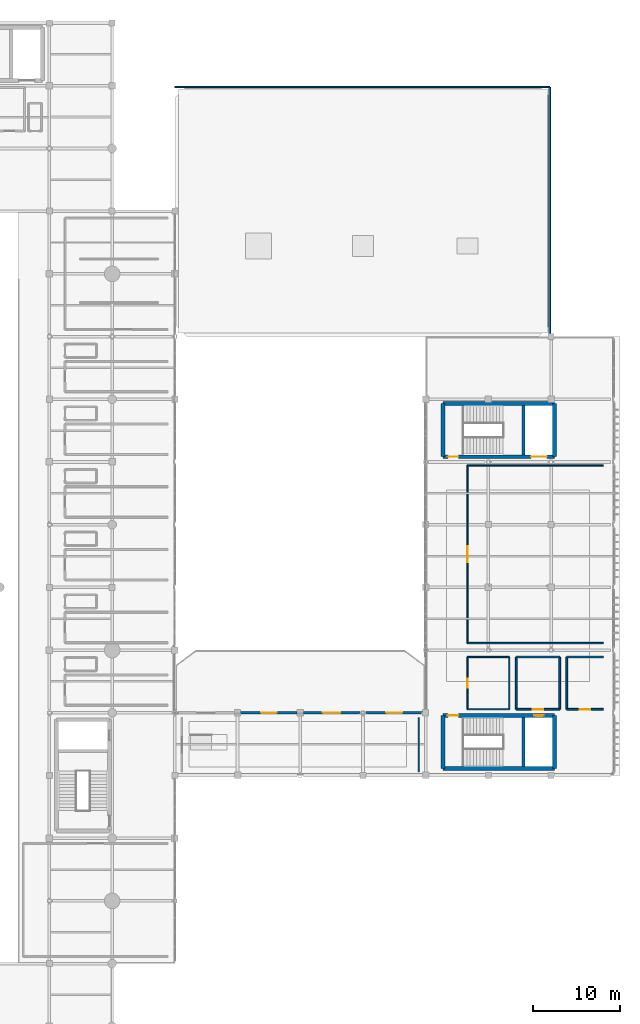
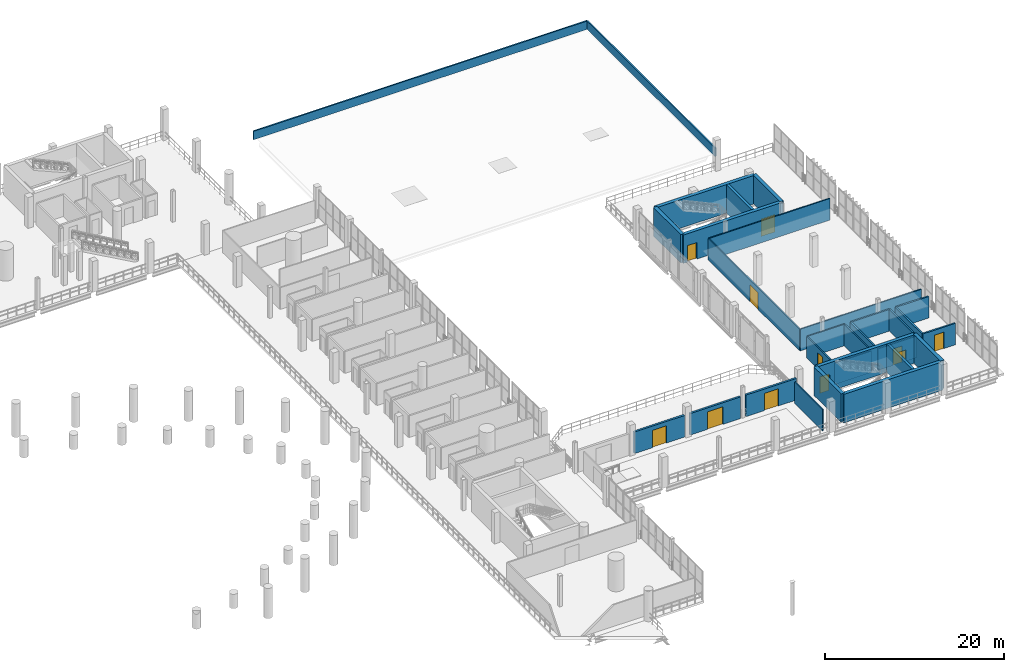
# One storey, part 111 of 130: 30 walls, 11 doors, 11 openings.
"""IFC4 building model written with IfcOpenShell, lengths in metres."""

from ifc_helpers import new_model, si_unit, direction, frame, frame_2d, origin, place, context, subcontext, project, spatial, rectangle, extrude, material, layer, layer_set, type_object, element, fill, save


model = new_model("IFC4")

# Units and contexts
model_context = context("Model", 3, precision=1e-05, world=origin(), true_north=direction((0.0, 1.0)))
body_context = subcontext(model_context, "Body", "Model", "MODEL_VIEW")
ifc_project = project(units=[si_unit("LENGTHUNIT", "METRE"), si_unit("AREAUNIT", "SQUARE_METRE"), si_unit("VOLUMEUNIT", "CUBIC_METRE"), si_unit("PLANEANGLEUNIT", "RADIAN"), si_unit("MASSUNIT", "GRAM", prefix="KILO")], contexts=[model_context])

# Site, building, storey
site_placement = place(None, origin())
site = spatial("IfcSite", under=ifc_project, at=site_placement, CompositionType="ELEMENT")
building_placement = place(site_placement, origin())
building = spatial("IfcBuilding", under=site, at=building_placement, Name="Qandorah Velis Arena", CompositionType="ELEMENT")
storey_placement = place(building_placement, frame((0.0, 0.0, 9.60009765625)))
storey = spatial("IfcBuildingStorey", under=building, at=storey_placement, Name="L02", CompositionType="ELEMENT", Elevation=9.60009765625)

# Wall, opening, door
ifc_material_1 = material(Name="Precast concrete C40/50", Category="concrete")
ifc_layer_1 = layer(ifc_material_1, 0.260009765625)
ifc_layer_set_1 = layer_set([ifc_layer_1], Name="Precast concrete C40/50")
wall_type_1 = type_object("IfcWallType", Name="ARC-WAL-EXT260", PredefinedType="SOLIDWALL", material=ifc_layer_set_1)
wall_1_placement = place(storey_placement, frame((129.949951171875, 50.39990234375, 0.0), z_axis=(0.0, 0.0, 1.0), x_axis=(1.0, 0.0, 0.0)))
wall_1 = element("IfcWall", 1, at=wall_1_placement, inside=storey, type_object=wall_type_1, Name="Oasis Terrace dining facade wall 2", PredefinedType="SOLIDWALL", context=body_context, shape_type="SweptSolid", body=[
    extrude(rectangle(XDim=6.5, YDim=0.260009765625, at=frame_2d((3.25, 0.0))), origin(), (0.0, 0.0, 1.0), 2.93994140625),
])
opening_1_placement = place(wall_1_placement, frame((2.35009765625, 0.0, 0.0)))
opening_1 = element("IfcOpeningElement", 2, at=opening_1_placement, cuts=wall_1, Name="Opening OTD2", PredefinedType="OPENING", context=body_context, shape_type="SweptSolid", body=[
    extrude(rectangle(XDim=1.800048828125, YDim=2.35009765625, at=frame_2d((0.89990234375, 1.175048828125))), frame((0.0, 0.14013671875, 0.0), z_axis=(0.0, -1.0, 0.0), x_axis=(1.0, 0.0, 0.0)), (0.0, 0.0, 1.0), 0.280029296875),
])
ifc_material_2 = material(Name="Solar-control low-E double glazed aluminium door", Category="aluminium")
door_type_1 = type_object("IfcDoorType", Name="ARC-DR-TER1800", OperationType="NOTDEFINED", PredefinedType="DOOR", material=ifc_material_2)
door_1_placement = place(opening_1_placement, origin())
door_1 = element("IfcDoor", 3, at=door_1_placement, inside=storey, type_object=door_type_1, Name="Oasis Terrace glazed door OTD2", OperationType="SINGLE_SWING_RIGHT", OverallHeight=2.35009765625, OverallWidth=1.800048828125, PredefinedType="DOOR", context=body_context, shape_type="SweptSolid", body=[
    extrude(rectangle(XDim=1.800048828125, YDim=2.35009765625, at=frame_2d((0.89990234375, 1.175048828125))), frame((0.0, 0.02490234375, 0.0), z_axis=(0.0, -1.0, 0.0), x_axis=(1.0, 0.0, 0.0)), (0.0, 0.0, 1.0), 0.050048828125),
])
fill(opening_1, door_1)

wall_2_placement = place(storey_placement, frame((137.14990234375, 50.39990234375, 0.0), z_axis=(0.0, 0.0, 1.0), x_axis=(1.0, 0.0, 0.0)))
wall_2 = element("IfcWall", 4, at=wall_2_placement, inside=storey, type_object=wall_type_1, Name="Oasis Terrace dining facade wall 3", PredefinedType="SOLIDWALL", context=body_context, shape_type="SweptSolid", body=[
    extrude(rectangle(XDim=6.5, YDim=0.260009765625, at=frame_2d((3.25, 0.0))), origin(), (0.0, 0.0, 1.0), 2.93994140625),
])
opening_2_placement = place(wall_2_placement, frame((2.25, 0.0, 0.0)))
opening_2 = element("IfcOpeningElement", 5, at=opening_2_placement, cuts=wall_2, Name="Opening OTD3", PredefinedType="OPENING", context=body_context, shape_type="SweptSolid", body=[
    extrude(rectangle(XDim=2.0, YDim=2.39990234375, at=frame_2d((1.0, 1.199951171875))), frame((0.0, 0.14013671875, 0.0), z_axis=(0.0, -1.0, 0.0), x_axis=(1.0, 0.0, 0.0)), (0.0, 0.0, 1.0), 0.280029296875),
])
door_type_2 = type_object("IfcDoorType", Name="ARC-DR-TER2000", OperationType="NOTDEFINED", PredefinedType="DOOR", material=ifc_material_2)
door_2_placement = place(opening_2_placement, origin())
door_2 = element("IfcDoor", 6, at=door_2_placement, inside=storey, type_object=door_type_2, Name="Oasis Terrace glazed door OTD3", OperationType="SINGLE_SWING_LEFT", OverallHeight=2.39990234375, OverallWidth=2.0, PredefinedType="DOOR", context=body_context, shape_type="SweptSolid", body=[
    extrude(rectangle(XDim=2.0, YDim=2.39990234375, at=frame_2d((1.0, 1.199951171875))), frame((0.0, 0.02490234375, 0.0), z_axis=(0.0, -1.0, 0.0), x_axis=(1.0, 0.0, 0.0)), (0.0, 0.0, 1.0), 0.050048828125),
])
fill(opening_2, door_2)

wall_3_placement = place(storey_placement, frame((144.35009765625, 50.39990234375, 0.0), z_axis=(0.0, 0.0, 1.0), x_axis=(1.0, 0.0, 0.0)))
wall_3 = element("IfcWall", 7, at=wall_3_placement, inside=storey, type_object=wall_type_1, Name="Oasis Terrace dining facade wall 4", PredefinedType="SOLIDWALL", context=body_context, shape_type="SweptSolid", body=[
    extrude(rectangle(XDim=6.5, YDim=0.260009765625, at=frame_2d((3.25, 0.0))), origin(), (0.0, 0.0, 1.0), 2.93994140625),
])
opening_3_placement = place(wall_3_placement, frame((2.35009765625, 0.0, 0.0)))
opening_3 = element("IfcOpeningElement", 8, at=opening_3_placement, cuts=wall_3, Name="Opening OTD4", PredefinedType="OPENING", context=body_context, shape_type="SweptSolid", body=[
    extrude(rectangle(XDim=1.800048828125, YDim=2.35009765625, at=frame_2d((0.89990234375, 1.175048828125))), frame((0.0, 0.14013671875, 0.0), z_axis=(0.0, -1.0, 0.0), x_axis=(1.0, 0.0, 0.0)), (0.0, 0.0, 1.0), 0.280029296875),
])
door_3_placement = place(opening_3_placement, origin())
door_3 = element("IfcDoor", 9, at=door_3_placement, inside=storey, type_object=door_type_1, Name="Oasis Terrace glazed door OTD4", OperationType="SINGLE_SWING_RIGHT", OverallHeight=2.35009765625, OverallWidth=1.800048828125, PredefinedType="DOOR", context=body_context, shape_type="SweptSolid", body=[
    extrude(rectangle(XDim=1.800048828125, YDim=2.35009765625, at=frame_2d((0.89990234375, 1.175048828125))), frame((0.0, 0.02490234375, 0.0), z_axis=(0.0, -1.0, 0.0), x_axis=(1.0, 0.0, 0.0)), (0.0, 0.0, 1.0), 0.050048828125),
])
fill(opening_3, door_3)

ifc_material_3 = material(Name="Concrete C35/45", Category="concrete")
ifc_layer_2 = layer(ifc_material_3, 0.199951171875)
ifc_layer_set_2 = layer_set([ifc_layer_2], Name="Concrete C35/45")
wall_type_2 = type_object("IfcWallType", Name="ARC-WAL-FD60-200", PredefinedType="PARTITIONING", material=ifc_layer_set_2)
wall_4_placement = place(storey_placement, frame((161.60009765625, 50.800048828125, 0.0), z_axis=(0.0, 0.0, 1.0), x_axis=(1.0, 0.0, 0.0)))
wall_4 = element("IfcWall", 10, at=wall_4_placement, inside=storey, type_object=wall_type_2, Name="Interior partition L02-PANTRY-E (S)", PredefinedType="PARTITIONING", context=body_context, shape_type="SweptSolid", body=[
    extrude(rectangle(XDim=5.0, YDim=0.199951171875, at=frame_2d((2.5, 0.0))), origin(), (0.0, 0.0, 1.0), 2.93994140625),
])
opening_4_placement = place(wall_4_placement, frame((1.89990234375, 0.0, 0.0)))
opening_4 = element("IfcOpeningElement", 11, at=opening_4_placement, cuts=wall_4, Name="Opening FD2", PredefinedType="OPENING", context=body_context, shape_type="SweptSolid", body=[
    extrude(rectangle(XDim=1.199951171875, YDim=2.25, at=frame_2d((0.60009765625, 1.125))), frame((0.0, 0.10986328125, 0.0), z_axis=(0.0, -1.0, 0.0), x_axis=(1.0, 0.0, 0.0)), (0.0, 0.0, 1.0), 0.219970703125),
])
ifc_material_4 = material(Name="Insulated fire-rated single steel door", Category="steel")
door_type_3 = type_object("IfcDoorType", Name="ARC-DR-FD1200", OperationType="NOTDEFINED", PredefinedType="DOOR", material=ifc_material_4)
door_4_placement = place(opening_4_placement, frame((1.199951171875, 0.0, 0.0), z_axis=(0.0, 0.0, 1.0), x_axis=(-1.0, 0.0, 0.0)))
door_4 = element("IfcDoor", 12, at=door_4_placement, inside=storey, type_object=door_type_3, Name="Door L02-PANTRY-E", OperationType="SINGLE_SWING_RIGHT", OverallHeight=2.25, OverallWidth=1.199951171875, PredefinedType="DOOR", context=body_context, shape_type="SweptSolid", body=[
    extrude(rectangle(XDim=1.199951171875, YDim=2.25, at=frame_2d((0.60009765625, 1.125))), frame((0.0, 0.02490234375, 0.0), z_axis=(0.0, -1.0, 0.0), x_axis=(1.0, 0.0, 0.0)), (0.0, 0.0, 1.0), 0.050048828125),
])
fill(opening_4, door_4)

# Walls
wall_5_placement = place(storey_placement, frame((166.60009765625, 50.800048828125, 0.0), z_axis=(0.0, 0.0, 1.0), x_axis=(0.0, 1.0, 0.0)))
element("IfcWall", 13, at=wall_5_placement, inside=storey, type_object=wall_type_2, Name="Interior partition L02-PANTRY-E (E)", PredefinedType="PARTITIONING", context=body_context, shape_type="SweptSolid", body=[
    extrude(rectangle(XDim=6.0, YDim=0.199951171875, at=frame_2d((3.0, 0.0))), origin(), (0.0, 0.0, 1.0), 2.93994140625),
])
wall_6_placement = place(storey_placement, frame((166.60009765625, 56.800048828125, 0.0), z_axis=(0.0, 0.0, 1.0), x_axis=(-1.0, 0.0, 0.0)))
element("IfcWall", 14, at=wall_6_placement, inside=storey, type_object=wall_type_2, Name="Interior partition L02-PANTRY-E (N)", PredefinedType="PARTITIONING", context=body_context, shape_type="SweptSolid", body=[
    extrude(rectangle(XDim=5.0, YDim=0.199951171875, at=frame_2d((2.5, 0.0))), origin(), (0.0, 0.0, 1.0), 2.93994140625),
])
wall_7_placement = place(storey_placement, frame((161.60009765625, 56.800048828125, 0.0), z_axis=(0.0, 0.0, 1.0), x_axis=(0.0, -1.0, 0.0)))
element("IfcWall", 15, at=wall_7_placement, inside=storey, type_object=wall_type_2, Name="Interior partition L02-PANTRY-E (W)", PredefinedType="PARTITIONING", context=body_context, shape_type="SweptSolid", body=[
    extrude(rectangle(XDim=6.0, YDim=0.199951171875, at=frame_2d((3.0, 0.0))), origin(), (0.0, 0.0, 1.0), 2.93994140625),
])

# Wall, opening, door
wall_8_placement = place(storey_placement, frame((167.39990234375, 50.800048828125, 0.0), z_axis=(0.0, 0.0, 1.0), x_axis=(1.0, 0.0, 0.0)))
wall_8 = element("IfcWall", 16, at=wall_8_placement, inside=storey, type_object=wall_type_2, Name="Interior partition L02-LINEN-STR (S)", PredefinedType="PARTITIONING", context=body_context, shape_type="SweptSolid", body=[
    extrude(rectangle(XDim=4.2001953125, YDim=0.199951171875, at=frame_2d((2.10009765625, 0.0))), origin(), (0.0, 0.0, 1.0), 2.93994140625),
])
opening_5_placement = place(wall_8_placement, frame((1.5, 0.0, 0.0)))
opening_5 = element("IfcOpeningElement", 17, at=opening_5_placement, cuts=wall_8, Name="Opening FD2", PredefinedType="OPENING", context=body_context, shape_type="SweptSolid", body=[
    extrude(rectangle(XDim=1.199951171875, YDim=2.25, at=frame_2d((0.60009765625, 1.125))), frame((0.0, 0.10986328125, 0.0), z_axis=(0.0, -1.0, 0.0), x_axis=(1.0, 0.0, 0.0)), (0.0, 0.0, 1.0), 0.219970703125),
])
door_5_placement = place(opening_5_placement, origin())
door_5 = element("IfcDoor", 18, at=door_5_placement, inside=storey, type_object=door_type_3, Name="Door L02-LINEN-STR", OperationType="SINGLE_SWING_LEFT", OverallHeight=2.25, OverallWidth=1.199951171875, PredefinedType="DOOR", context=body_context, shape_type="SweptSolid", body=[
    extrude(rectangle(XDim=1.199951171875, YDim=2.25, at=frame_2d((0.60009765625, 1.125))), frame((0.0, 0.02490234375, 0.0), z_axis=(0.0, -1.0, 0.0), x_axis=(1.0, 0.0, 0.0)), (0.0, 0.0, 1.0), 0.050048828125),
])
fill(opening_5, door_5)

# Walls
wall_9_placement = place(storey_placement, frame((171.60009765625, 56.800048828125, 0.0), z_axis=(0.0, 0.0, 1.0), x_axis=(-1.0, 0.0, 0.0)))
element("IfcWall", 19, at=wall_9_placement, inside=storey, type_object=wall_type_2, Name="Interior partition L02-LINEN-STR (N)", PredefinedType="PARTITIONING", context=body_context, shape_type="SweptSolid", body=[
    extrude(rectangle(XDim=4.2001953125, YDim=0.199951171875, at=frame_2d((2.10009765625, 0.0))), origin(), (0.0, 0.0, 1.0), 2.93994140625),
])
wall_10_placement = place(storey_placement, frame((167.39990234375, 56.800048828125, 0.0), z_axis=(0.0, 0.0, 1.0), x_axis=(0.0, -1.0, 0.0)))
element("IfcWall", 20, at=wall_10_placement, inside=storey, type_object=wall_type_2, Name="Interior partition L02-LINEN-STR (W)", PredefinedType="PARTITIONING", context=body_context, shape_type="SweptSolid", body=[
    extrude(rectangle(XDim=6.0, YDim=0.199951171875, at=frame_2d((3.0, 0.0))), origin(), (0.0, 0.0, 1.0), 2.93994140625),
])
ifc_layer_3 = layer(ifc_material_1, 0.179931640625)
ifc_layer_set_3 = layer_set([ifc_layer_3], Name="Precast concrete C40/50")
wall_type_3 = type_object("IfcWallType", Name="ARC-WAL-PAR180", PredefinedType="PARAPET", material=ifc_layer_set_3)
wall_11_placement = place(storey_placement, frame((122.39990234375, 122.25, 1.7998046875), z_axis=(0.0, 0.0, 1.0), x_axis=(1.0, 0.0, 0.0)))
element("IfcWall", 21, at=wall_11_placement, inside=storey, type_object=wall_type_3, Name="Roof perimeter parapet wall PW-14", PredefinedType="PARAPET", context=body_context, shape_type="SweptSolid", body=[
    extrude(rectangle(XDim=43.050048828125, YDim=0.179931640625, at=frame_2d((21.52490234375, 0.0))), origin(), (0.0, 0.0, 1.0), 1.150146484375),
])
wall_12_placement = place(storey_placement, frame((165.449951171875, 93.60009765625, 1.7998046875), z_axis=(0.0, 0.0, 1.0), x_axis=(0.0, 1.0, 0.0)))
element("IfcWall", 22, at=wall_12_placement, inside=storey, type_object=wall_type_3, Name="Roof perimeter parapet wall PW-15", PredefinedType="PARAPET", context=body_context, shape_type="SweptSolid", body=[
    extrude(rectangle(XDim=28.64990234375, YDim=0.179931640625, at=frame_2d((14.324951171875, 0.0))), origin(), (0.0, 0.0, 1.0), 1.150146484375),
])
ifc_layer_4 = layer(ifc_material_3, 0.14990234375)
ifc_layer_set_4 = layer_set([ifc_layer_4], Name="Concrete C35/45")
wall_type_4 = type_object("IfcWallType", Name="ARC-WAL-PART150", PredefinedType="PARTITIONING", material=ifc_layer_set_4)
wall_13_placement = place(storey_placement, frame((150.39990234375, 43.60009765625, 0.0), z_axis=(0.0, 0.0, 1.0), x_axis=(0.0, 1.0, 0.0)))
element("IfcWall", 23, at=wall_13_placement, inside=storey, type_object=wall_type_4, Name="Interior partition L02-SUITE-DINING (E)", PredefinedType="PARTITIONING", context=body_context, shape_type="SweptSolid", body=[
    extrude(rectangle(XDim=6.199951171875, YDim=0.14990234375, at=frame_2d((3.10009765625, 0.0))), origin(), (0.0, 0.0, 1.0), 2.93994140625),
])
for number, where, z_axis, x_axis, name in (
    (24, (156.0, 58.39990234375, 0.0), (0.0, 0.0, 1.0), (1.0, 0.0, 0.0), "Interior partition L02-OASIS-REST (S)"),
    (25, (171.60009765625, 78.800048828125, 0.0), (0.0, 0.0, 1.0), (-1.0, 0.0, 0.0), "Interior partition L02-OASIS-REST (N)"),
):
    element("IfcWall", number, at=place(storey_placement, frame(where, z_axis=z_axis, x_axis=x_axis)), inside=storey, type_object=wall_type_4, Name=name, PredefinedType="PARTITIONING", context=body_context, shape_type="SweptSolid", body=[
        extrude(rectangle(XDim=15.60009765625, YDim=0.14990234375, at=frame_2d((7.800048828125, 0.0))), origin(), (0.0, 0.0, 1.0), 2.93994140625),
    ])

# Wall, opening, door
wall_14_placement = place(storey_placement, frame((156.0, 78.800048828125, 0.0), z_axis=(0.0, 0.0, 1.0), x_axis=(0.0, -1.0, 0.0)))
wall_14 = element("IfcWall", 26, at=wall_14_placement, inside=storey, type_object=wall_type_4, Name="Interior partition L02-OASIS-REST (W)", PredefinedType="PARTITIONING", context=body_context, shape_type="SweptSolid", body=[
    extrude(rectangle(XDim=20.400146484375, YDim=0.14990234375, at=frame_2d((10.2001953125, 0.0))), origin(), (0.0, 0.0, 1.0), 2.93994140625),
])
opening_6_placement = place(wall_14_placement, frame((9.300048828125, 0.0, 0.0)))
opening_6 = element("IfcOpeningElement", 27, at=opening_6_placement, cuts=wall_14, Name="Opening D3", PredefinedType="OPENING", context=body_context, shape_type="SweptSolid", body=[
    extrude(rectangle(XDim=1.800048828125, YDim=2.300048828125, at=frame_2d((0.89990234375, 1.14990234375))), frame((0.0, 0.0849609375, 0.0), z_axis=(0.0, -1.0, 0.0), x_axis=(1.0, 0.0, 0.0)), (0.0, 0.0, 1.0), 0.169921875),
])
ifc_material_5 = material(Name="Double-leaf acoustic timber door", Category="wood")
door_type_4 = type_object("IfcDoorType", Name="ARC-DR-DBL1800", OperationType="NOTDEFINED", PredefinedType="DOOR", material=ifc_material_5)
door_6_placement = place(opening_6_placement, frame((1.800048828125, 0.0, 0.0), z_axis=(0.0, 0.0, 1.0), x_axis=(-1.0, 0.0, 0.0)))
door_6 = element("IfcDoor", 28, at=door_6_placement, inside=storey, type_object=door_type_4, Name="Door L02-OASIS-REST", OperationType="DOUBLE_DOOR_SINGLE_SWING", OverallHeight=2.300048828125, OverallWidth=1.800048828125, PredefinedType="DOOR", context=body_context, shape_type="SweptSolid", body=[
    extrude(rectangle(XDim=1.800048828125, YDim=2.300048828125, at=frame_2d((0.89990234375, 1.14990234375))), frame((0.0, 0.02490234375, 0.0), z_axis=(0.0, -1.0, 0.0), x_axis=(1.0, 0.0, 0.0)), (0.0, 0.0, 1.0), 0.050048828125),
])
fill(opening_6, door_6)

# Walls
wall_15_placement = place(storey_placement, frame((156.0, 50.800048828125, 0.0), z_axis=(0.0, 0.0, 1.0), x_axis=(1.0, 0.0, 0.0)))
element("IfcWall", 29, at=wall_15_placement, inside=storey, type_object=wall_type_4, Name="Interior partition L02-L02-AWC1 (S)", PredefinedType="PARTITIONING", context=body_context, shape_type="SweptSolid", body=[
    extrude(rectangle(XDim=4.800048828125, YDim=0.14990234375, at=frame_2d((2.39990234375, 0.0))), origin(), (0.0, 0.0, 1.0), 2.93994140625),
])
wall_16_placement = place(storey_placement, frame((160.800048828125, 50.800048828125, 0.0), z_axis=(0.0, 0.0, 1.0), x_axis=(0.0, 1.0, 0.0)))
element("IfcWall", 30, at=wall_16_placement, inside=storey, type_object=wall_type_4, Name="Interior partition L02-L02-AWC1 (E)", PredefinedType="PARTITIONING", context=body_context, shape_type="SweptSolid", body=[
    extrude(rectangle(XDim=6.0, YDim=0.14990234375, at=frame_2d((3.0, 0.0))), origin(), (0.0, 0.0, 1.0), 2.93994140625),
])
wall_17_placement = place(storey_placement, frame((160.800048828125, 56.800048828125, 0.0), z_axis=(0.0, 0.0, 1.0), x_axis=(-1.0, 0.0, 0.0)))
element("IfcWall", 31, at=wall_17_placement, inside=storey, type_object=wall_type_4, Name="Interior partition L02-L02-AWC1 (N)", PredefinedType="PARTITIONING", context=body_context, shape_type="SweptSolid", body=[
    extrude(rectangle(XDim=4.800048828125, YDim=0.14990234375, at=frame_2d((2.39990234375, 0.0))), origin(), (0.0, 0.0, 1.0), 2.93994140625),
])

# Wall, opening, door
wall_18_placement = place(storey_placement, frame((156.0, 56.800048828125, 0.0), z_axis=(0.0, 0.0, 1.0), x_axis=(0.0, -1.0, 0.0)))
wall_18 = element("IfcWall", 32, at=wall_18_placement, inside=storey, type_object=wall_type_4, Name="Interior partition L02-L02-AWC1 (W)", PredefinedType="PARTITIONING", context=body_context, shape_type="SweptSolid", body=[
    extrude(rectangle(XDim=6.0, YDim=0.14990234375, at=frame_2d((3.0, 0.0))), origin(), (0.0, 0.0, 1.0), 2.93994140625),
])
opening_7_placement = place(wall_18_placement, frame((2.47509765625, 0.0, 0.0)))
opening_7 = element("IfcOpeningElement", 33, at=opening_7_placement, cuts=wall_18, Name="Opening D6", PredefinedType="OPENING", context=body_context, shape_type="SweptSolid", body=[
    extrude(rectangle(XDim=1.050048828125, YDim=2.199951171875, at=frame_2d((0.52490234375, 1.10009765625))), frame((0.0, 0.0849609375, 0.0), z_axis=(0.0, -1.0, 0.0), x_axis=(1.0, 0.0, 0.0)), (0.0, 0.0, 1.0), 0.169921875),
])
ifc_material_6 = material(Name="Accessible wide-leaf lever-handle door")
door_type_5 = type_object("IfcDoorType", Name="ARC-DR-ACC1050", OperationType="NOTDEFINED", PredefinedType="DOOR", material=ifc_material_6)
door_7_placement = place(opening_7_placement, origin())
door_7 = element("IfcDoor", 34, at=door_7_placement, inside=storey, type_object=door_type_5, Name="Door L02-L02-AWC1", OperationType="SINGLE_SWING_LEFT", OverallHeight=2.199951171875, OverallWidth=1.050048828125, PredefinedType="DOOR", context=body_context, shape_type="SweptSolid", body=[
    extrude(rectangle(XDim=1.050048828125, YDim=2.199951171875, at=frame_2d((0.52490234375, 1.10009765625))), frame((0.0, 0.02490234375, 0.0), z_axis=(0.0, -1.0, 0.0), x_axis=(1.0, 0.0, 0.0)), (0.0, 0.0, 1.0), 0.050048828125),
])
fill(opening_7, door_7)

# Wall
ifc_material_7 = material(Name="Concrete C40/50", Category="concrete")
ifc_layer_5 = layer(ifc_material_7, 0.449951171875)
ifc_layer_set_5 = layer_set([ifc_layer_5], Name="Concrete C40/50")
wall_type_5 = type_object("IfcWallType", Name="STR-WAL-CORE450", PredefinedType="SHEAR", material=ifc_layer_set_5)
wall_19_placement = place(storey_placement, frame((153.199951171875, 44.0, 0.0), z_axis=(0.0, 0.0, 1.0), x_axis=(1.0, 0.0, 0.0)))
element("IfcWall", 35, at=wall_19_placement, inside=storey, type_object=wall_type_5, Name="Core CORE-07 shear wall S (L02)", PredefinedType="SHEAR", context=body_context, shape_type="SweptSolid", body=[
    extrude(rectangle(XDim=12.800048828125, YDim=0.449951171875, at=frame_2d((6.39990234375, 0.0))), origin(), (0.0, 0.0, 1.0), 3.8798828125),
])

# Wall, openings, doors
wall_20_placement = place(storey_placement, frame((153.199951171875, 50.10009765625, 0.0), z_axis=(0.0, 0.0, 1.0), x_axis=(1.0, 0.0, 0.0)))
wall_20 = element("IfcWall", 36, at=wall_20_placement, inside=storey, type_object=wall_type_5, Name="Core CORE-07 shear wall N (L02)", PredefinedType="SHEAR", context=body_context, shape_type="SweptSolid", body=[
    extrude(rectangle(XDim=12.800048828125, YDim=0.449951171875, at=frame_2d((6.39990234375, 0.0))), origin(), (0.0, 0.0, 1.0), 3.8798828125),
])
opening_8_placement = place(wall_20_placement, frame((0.550048828125, 0.0, 0.0)))
opening_8 = element("IfcOpeningElement", 37, at=opening_8_placement, cuts=wall_20, Name="Opening SD1", PredefinedType="OPENING", context=body_context, shape_type="SweptSolid", body=[
    extrude(rectangle(XDim=1.199951171875, YDim=2.25, at=frame_2d((0.60009765625, 1.125))), frame((0.0, 0.23486328125, 0.0), z_axis=(0.0, -1.0, 0.0), x_axis=(1.0, 0.0, 0.0)), (0.0, 0.0, 1.0), 0.469970703125),
])
opening_9_placement = place(wall_20_placement, frame((10.4580078125, 0.0, 0.0)))
opening_9 = element("IfcOpeningElement", 38, at=opening_9_placement, cuts=wall_20, Name="Opening LD1", PredefinedType="OPENING", context=body_context, shape_type="SweptSolid", body=[
    extrude(rectangle(XDim=1.10009765625, YDim=2.199951171875, at=frame_2d((0.550048828125, 1.10009765625))), frame((0.0, 0.23486328125, 0.0), z_axis=(0.0, -1.0, 0.0), x_axis=(1.0, 0.0, 0.0)), (0.0, 0.0, 1.0), 0.469970703125),
])
ifc_material_8 = material(Name="Stainless steel sliding lift landing door", Category="steel")
door_type_6 = type_object("IfcDoorType", Name="ARC-DR-LD1100", OperationType="NOTDEFINED", PredefinedType="DOOR", material=ifc_material_8)
door_8_placement = place(opening_9_placement, origin())
door_8 = element("IfcDoor", 39, at=door_8_placement, inside=storey, type_object=door_type_6, Name="Lift PL5 sliding landing door (L02)", OperationType="SLIDING_TO_RIGHT", OverallHeight=2.199951171875, OverallWidth=1.10009765625, PredefinedType="DOOR", context=body_context, shape_type="SweptSolid", body=[
    extrude(rectangle(XDim=1.10009765625, YDim=2.199951171875, at=frame_2d((0.550048828125, 1.10009765625))), frame((0.0, 0.02490234375, 0.0), z_axis=(0.0, -1.0, 0.0), x_axis=(1.0, 0.0, 0.0)), (0.0, 0.0, 1.0), 0.050048828125),
])
fill(opening_9, door_8)
ifc_material_9 = material(Name="Self-closing fire-rated stair steel door", Category="steel")
door_type_7 = type_object("IfcDoorType", Name="ARC-DR-ST1200", OperationType="NOTDEFINED", PredefinedType="DOOR", material=ifc_material_9)
door_9_placement = place(opening_8_placement, frame((1.199951171875, 0.0, 0.0), z_axis=(0.0, 0.0, 1.0), x_axis=(-1.0, 0.0, 0.0)))
door_9 = element("IfcDoor", 40, at=door_9_placement, inside=storey, type_object=door_type_7, Name="Stair ST7 fire door (L02)", OperationType="SINGLE_SWING_LEFT", OverallHeight=2.25, OverallWidth=1.199951171875, PredefinedType="DOOR", context=body_context, shape_type="SweptSolid", body=[
    extrude(rectangle(XDim=1.199951171875, YDim=2.25, at=frame_2d((0.60009765625, 1.125))), frame((0.0, 0.02490234375, 0.0), z_axis=(0.0, -1.0, 0.0), x_axis=(1.0, 0.0, 0.0)), (0.0, 0.0, 1.0), 0.050048828125),
])
fill(opening_8, door_9)

# Walls
for number, where, z_axis, x_axis, name in (
    (41, (153.199951171875, 44.0, 0.0), (0.0, 0.0, 1.0), (0.0, 1.0, 0.0), "Core CORE-07 shear wall W (L02)"),
    (42, (166.0, 44.0, 0.0), (0.0, 0.0, 1.0), (0.0, 1.0, 0.0), "Core CORE-07 shear wall E (L02)"),
):
    element("IfcWall", number, at=place(storey_placement, frame(where, z_axis=z_axis, x_axis=x_axis)), inside=storey, type_object=wall_type_5, Name=name, PredefinedType="SHEAR", context=body_context, shape_type="SweptSolid", body=[
        extrude(rectangle(XDim=6.10009765625, YDim=0.449951171875, at=frame_2d((3.050048828125, 0.0))), origin(), (0.0, 0.0, 1.0), 3.8798828125),
    ])

# Wall, openings, doors
wall_21_placement = place(storey_placement, frame((153.199951171875, 79.800048828125, 0.0), z_axis=(0.0, 0.0, 1.0), x_axis=(1.0, 0.0, 0.0)))
wall_21 = element("IfcWall", 43, at=wall_21_placement, inside=storey, type_object=wall_type_5, Name="Core CORE-08 shear wall S (L02)", PredefinedType="SHEAR", context=body_context, shape_type="SweptSolid", body=[
    extrude(rectangle(XDim=12.800048828125, YDim=0.449951171875, at=frame_2d((6.39990234375, 0.0))), origin(), (0.0, 0.0, 1.0), 3.8798828125),
])
opening_10_placement = place(wall_21_placement, frame((0.550048828125, 0.0, 0.0)))
opening_10 = element("IfcOpeningElement", 44, at=opening_10_placement, cuts=wall_21, Name="Opening SD1", PredefinedType="OPENING", context=body_context, shape_type="SweptSolid", body=[
    extrude(rectangle(XDim=1.199951171875, YDim=2.25, at=frame_2d((0.60009765625, 1.125))), frame((0.0, 0.23486328125, 0.0), z_axis=(0.0, -1.0, 0.0), x_axis=(1.0, 0.0, 0.0)), (0.0, 0.0, 1.0), 0.469970703125),
])
opening_11_placement = place(wall_21_placement, frame((10.10791015625, 0.0, 0.0)))
opening_11 = element("IfcOpeningElement", 45, at=opening_11_placement, cuts=wall_21, Name="Opening LD3", PredefinedType="OPENING", context=body_context, shape_type="SweptSolid", body=[
    extrude(rectangle(XDim=1.800048828125, YDim=2.39990234375, at=frame_2d((0.89990234375, 1.199951171875))), frame((0.0, 0.23486328125, 0.0), z_axis=(0.0, -1.0, 0.0), x_axis=(1.0, 0.0, 0.0)), (0.0, 0.0, 1.0), 0.469970703125),
])
ifc_material_10 = material(Name="Goods stainless bi-parting lift landing door", Category="steel")
door_type_8 = type_object("IfcDoorType", Name="ARC-DR-LD1800", OperationType="NOTDEFINED", PredefinedType="DOOR", material=ifc_material_10)
door_10_placement = place(opening_11_placement, origin())
door_10 = element("IfcDoor", 46, at=door_10_placement, inside=storey, type_object=door_type_8, Name="Lift GL1 sliding landing door (L02)", OperationType="SLIDING_TO_RIGHT", OverallHeight=2.39990234375, OverallWidth=1.800048828125, PredefinedType="DOOR", context=body_context, shape_type="SweptSolid", body=[
    extrude(rectangle(XDim=1.800048828125, YDim=2.39990234375, at=frame_2d((0.89990234375, 1.199951171875))), frame((0.0, 0.02490234375, 0.0), z_axis=(0.0, -1.0, 0.0), x_axis=(1.0, 0.0, 0.0)), (0.0, 0.0, 1.0), 0.050048828125),
])
fill(opening_11, door_10)
door_11_placement = place(opening_10_placement, origin())
door_11 = element("IfcDoor", 47, at=door_11_placement, inside=storey, type_object=door_type_7, Name="Stair ST8 fire door (L02)", OperationType="SINGLE_SWING_RIGHT", OverallHeight=2.25, OverallWidth=1.199951171875, PredefinedType="DOOR", context=body_context, shape_type="SweptSolid", body=[
    extrude(rectangle(XDim=1.199951171875, YDim=2.25, at=frame_2d((0.60009765625, 1.125))), frame((0.0, 0.02490234375, 0.0), z_axis=(0.0, -1.0, 0.0), x_axis=(1.0, 0.0, 0.0)), (0.0, 0.0, 1.0), 0.050048828125),
])
fill(opening_10, door_11)

# Walls
wall_22_placement = place(storey_placement, frame((153.199951171875, 85.89990234375, 0.0), z_axis=(0.0, 0.0, 1.0), x_axis=(1.0, 0.0, 0.0)))
element("IfcWall", 48, at=wall_22_placement, inside=storey, type_object=wall_type_5, Name="Core CORE-08 shear wall N (L02)", PredefinedType="SHEAR", context=body_context, shape_type="SweptSolid", body=[
    extrude(rectangle(XDim=12.800048828125, YDim=0.449951171875, at=frame_2d((6.39990234375, 0.0))), origin(), (0.0, 0.0, 1.0), 3.8798828125),
])
for number, where, z_axis, x_axis, name in (
    (49, (153.199951171875, 79.800048828125, 0.0), (0.0, 0.0, 1.0), (0.0, 1.0, 0.0), "Core CORE-08 shear wall W (L02)"),
    (50, (166.0, 79.800048828125, 0.0), (0.0, 0.0, 1.0), (0.0, 1.0, 0.0), "Core CORE-08 shear wall E (L02)"),
):
    element("IfcWall", number, at=place(storey_placement, frame(where, z_axis=z_axis, x_axis=x_axis)), inside=storey, type_object=wall_type_5, Name=name, PredefinedType="SHEAR", context=body_context, shape_type="SweptSolid", body=[
        extrude(rectangle(XDim=6.099853515625, YDim=0.449951171875, at=frame_2d((3.0498046875, 0.0))), origin(), (0.0, 0.0, 1.0), 3.8798828125),
    ])
ifc_layer_6 = layer(ifc_material_7, 0.35009765625)
ifc_layer_set_6 = layer_set([ifc_layer_6], Name="Concrete C40/50")
wall_type_6 = type_object("IfcWallType", Name="STR-WAL-SH350", PredefinedType="SHEAR", material=ifc_layer_set_6)
wall_23_placement = place(storey_placement, frame((162.416015625, 44.22509765625, 0.0), z_axis=(0.0, 0.0, 1.0), x_axis=(0.0, 1.0, 0.0)))
element("IfcWall", 51, at=wall_23_placement, inside=storey, type_object=wall_type_6, Name="Core CORE-07 shaft divider shear wall (L02)", PredefinedType="SHEAR", context=body_context, shape_type="SweptSolid", body=[
    extrude(rectangle(XDim=5.64990234375, YDim=0.35009765625, at=frame_2d((2.824951171875, 0.0))), origin(), (0.0, 0.0, 1.0), 3.8798828125),
])
wall_24_placement = place(storey_placement, frame((162.416015625, 80.02490234375, 0.0), z_axis=(0.0, 0.0, 1.0), x_axis=(0.0, 1.0, 0.0)))
element("IfcWall", 52, at=wall_24_placement, inside=storey, type_object=wall_type_6, Name="Core CORE-08 shaft divider shear wall (L02)", PredefinedType="SHEAR", context=body_context, shape_type="SweptSolid", body=[
    extrude(rectangle(XDim=5.650146484375, YDim=0.35009765625, at=frame_2d((2.8251953125, 0.0))), origin(), (0.0, 0.0, 1.0), 3.8798828125),
])

save(model, "model.ifc")
